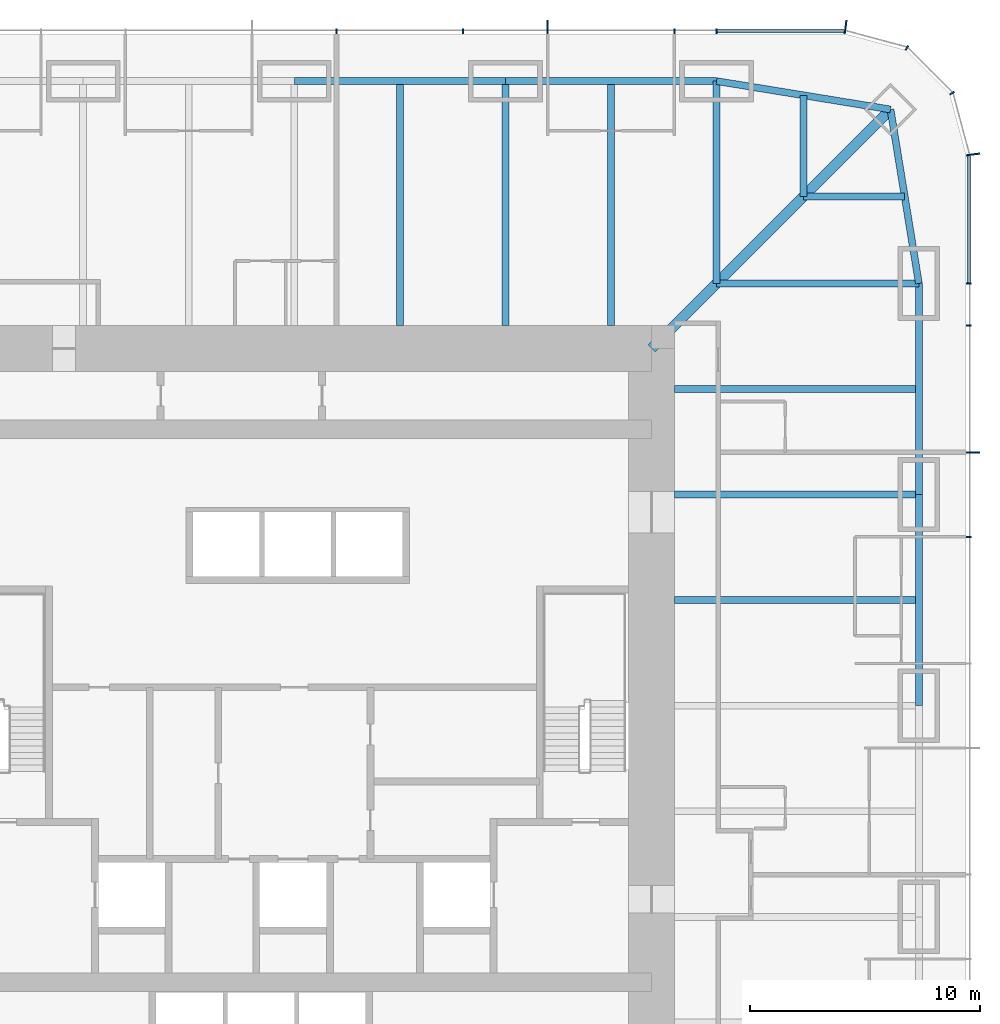
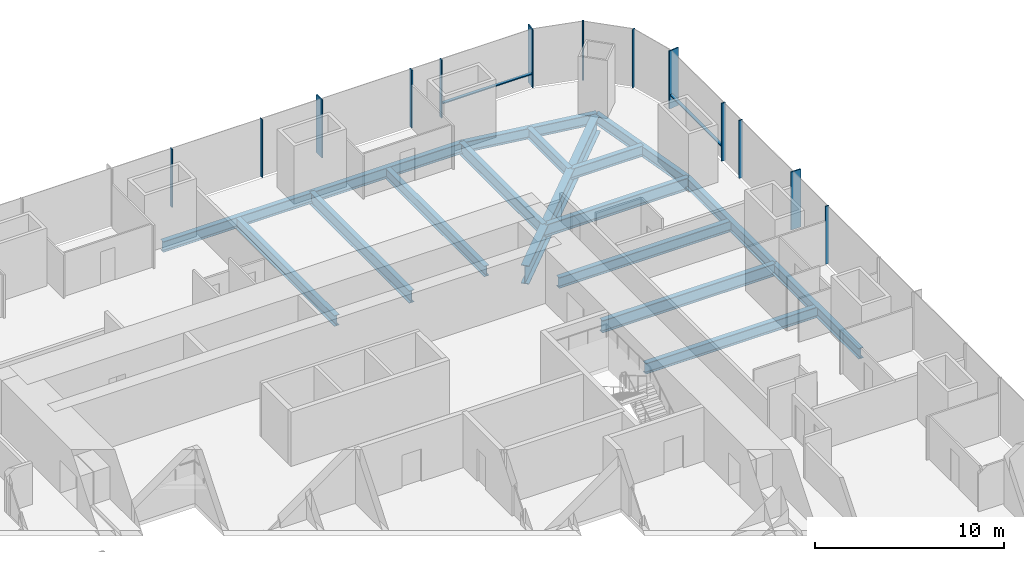
# One storey, part 6 of 13: 17 beams, 15 members, 3 elements without a shape of their own.
"""IFC4 building model written with IfcOpenShell, lengths in metres."""

from ifc_helpers import new_model, si_unit, direction, frame, origin, origin_2d, place, context, subcontext, project, spatial, rectangle, i_section, extrude, material, material_profile, profile_set, type_object, element, aggregate, save


model = new_model("IFC4")

# Units and contexts
model_context = context("Model", 3, precision=1e-05, world=origin(), true_north=direction((0.0, 1.0)))
body_context = subcontext(model_context, "Body", "Model", "MODEL_VIEW")
ifc_project = project(units=[si_unit("LENGTHUNIT", "METRE"), si_unit("AREAUNIT", "SQUARE_METRE"), si_unit("VOLUMEUNIT", "CUBIC_METRE"), si_unit("PLANEANGLEUNIT", "RADIAN"), si_unit("MASSUNIT", "GRAM", prefix="KILO")], contexts=[model_context])

# Site, building, storey
site_placement = place(None, origin())
site = spatial("IfcSite", under=ifc_project, at=site_placement, CompositionType="ELEMENT")
building_placement = place(site_placement, origin())
building = spatial("IfcBuilding", under=site, at=building_placement, Name="Khuree Lantern Residences", CompositionType="ELEMENT")
storey_placement = place(building_placement, frame((0.0, 0.0, 114.75)))
storey = spatial("IfcBuildingStorey", under=building, at=storey_placement, Name="L28", CompositionType="ELEMENT", Elevation=114.75)

# Beams
ifc_material_1 = material(Name="Steel S355", Category="steel")
ifc_material_profile_1 = material_profile(ifc_material_1, i_section(OverallWidth=0.300048828125, OverallDepth=0.68994140625, WebThickness=0.014404296875, FlangeThickness=0.027099609375, FilletRadius=0.027099609375, at=origin_2d()), Name="HE 700 A")
ifc_profile_set_1 = profile_set([ifc_material_profile_1], Name="Steel S355")
beam_type_1 = type_object("IfcBeamType", Name="B-21A SECONDARY BEAM HE 700 A", PredefinedType="BEAM", material=ifc_profile_set_1)
for number, where, z_axis, x_axis, name in (
    (1, (4.580078125, 27.10009765625, -0.594970703125), (0.0, -1.0, 0.0), (1.0, 0.0, 0.0), "Secondary beam N3"),
    (2, (13.739990234375, 27.10009765625, -0.594970703125), (0.0, -1.0, 0.0), (1.0, 0.0, 0.0), "Secondary beam N4"),
):
    element("IfcBeam", number, at=place(storey_placement, frame(where, z_axis=z_axis, x_axis=x_axis)), inside=storey, type_object=beam_type_1, Name=name, PredefinedType="BEAM", context=body_context, shape_type="SweptSolid", body=[
        extrude(i_section(OverallWidth=0.300048828125, OverallDepth=0.68994140625, WebThickness=0.014404296875, FlangeThickness=0.027099609375, FilletRadius=0.027099609375, at=origin_2d()), origin(), (0.0, 0.0, 1.0), 10.60009765625),
    ])
for number, where, z_axis, x_axis, name in (
    (3, (22.094970703125, 26.48486328125, -0.594970703125), (0.0, -1.0, 0.0), (1.0, 0.0, 0.0), "Secondary beam N5"),
    (4, (26.48486328125, 22.094970703125, -0.594970703125), (-1.0, 0.0, 0.0), (0.0, -1.0, 0.0), "Secondary beam E1"),
):
    element("IfcBeam", number, at=place(storey_placement, frame(where, z_axis=z_axis, x_axis=x_axis)), inside=storey, type_object=beam_type_1, Name=name, PredefinedType="BEAM", context=body_context, shape_type="SweptSolid", body=[
        extrude(i_section(OverallWidth=0.300048828125, OverallDepth=0.68994140625, WebThickness=0.014404296875, FlangeThickness=0.027099609375, FilletRadius=0.027099609375, at=origin_2d()), origin(), (0.0, 0.0, 1.0), 4.389892578125),
    ])
for number, where, z_axis, x_axis, name in (
    (5, (27.10009765625, 13.739990234375, -0.594970703125), (-1.0, 0.0, 0.0), (0.0, -1.0, 0.0), "Secondary beam E2"),
    (6, (27.10009765625, 4.580078125, -0.594970703125), (-1.0, 0.0, 0.0), (0.0, -1.0, 0.0), "Secondary beam E3"),
):
    element("IfcBeam", number, at=place(storey_placement, frame(where, z_axis=z_axis, x_axis=x_axis)), inside=storey, type_object=beam_type_1, Name=name, PredefinedType="BEAM", context=body_context, shape_type="SweptSolid", body=[
        extrude(i_section(OverallWidth=0.300048828125, OverallDepth=0.68994140625, WebThickness=0.014404296875, FlangeThickness=0.027099609375, FilletRadius=0.027099609375, at=origin_2d()), origin(), (0.0, 0.0, 1.0), 10.60009765625),
    ])
ifc_material_profile_2 = material_profile(ifc_material_1, i_section(OverallWidth=0.300048828125, OverallDepth=0.68994140625, WebThickness=0.014404296875, FlangeThickness=0.027099609375, FilletRadius=0.027099609375, at=origin_2d()), Name="HE 700 A")
ifc_profile_set_2 = profile_set([ifc_material_profile_2], Name="Steel S355")
beam_type_2 = type_object("IfcBeamType", Name="E-21 SPANDREL BEAM HE 700 A", PredefinedType="SPANDREL", material=ifc_profile_set_2)
beam_1_placement = place(storey_placement, frame((0.0, 27.10009765625, -0.594970703125), z_axis=(1.0, 0.0, 0.0), x_axis=(0.0, 1.0, 0.0)))
element("IfcBeam", 7, at=beam_1_placement, inside=storey, type_object=beam_type_2, Name="Spandrel beam N3", PredefinedType="SPANDREL", context=body_context, shape_type="SweptSolid", body=[
    extrude(i_section(OverallWidth=0.300048828125, OverallDepth=0.68994140625, WebThickness=0.014404296875, FlangeThickness=0.027099609375, FilletRadius=0.027099609375, at=origin_2d()), origin(), (0.0, 0.0, 1.0), 9.159912109375),
])
beam_2_placement = place(storey_placement, frame((9.159912109375, 27.10009765625, -0.594970703125), z_axis=(1.0, 0.0, 0.0), x_axis=(0.0, 1.0, 0.0)))
element("IfcBeam", 8, at=beam_2_placement, inside=storey, type_object=beam_type_2, Name="Spandrel beam N4", PredefinedType="SPANDREL", context=body_context, shape_type="SweptSolid", body=[
    extrude(i_section(OverallWidth=0.300048828125, OverallDepth=0.68994140625, WebThickness=0.014404296875, FlangeThickness=0.027099609375, FilletRadius=0.027099609375, at=origin_2d()), origin(), (0.0, 0.0, 1.0), 9.16015625),
])
for number, where, z_axis, x_axis, name in (
    (9, (18.320068359375, 27.10009765625, -0.594970703125), (0.986982656839, -0.160826723833, 0.0), (0.160826723833, 0.986982656839, 0.0), "Spandrel beam N5"),
    (10, (25.869873046875, 25.869873046875, -0.594970703125), (0.160826723833, -0.986982656839, 0.0), (0.986982656839, 0.160826723833, 0.0), "Spandrel beam E1"),
):
    element("IfcBeam", number, at=place(storey_placement, frame(where, z_axis=z_axis, x_axis=x_axis)), inside=storey, type_object=beam_type_2, Name=name, PredefinedType="SPANDREL", context=body_context, shape_type="SweptSolid", body=[
        extrude(i_section(OverallWidth=0.300048828125, OverallDepth=0.68994140625, WebThickness=0.014404296875, FlangeThickness=0.027099609375, FilletRadius=0.027099609375, at=origin_2d()), origin(), (0.0, 0.0, 1.0), 7.6494140625),
    ])
beam_3_placement = place(storey_placement, frame((27.10009765625, 18.320068359375, -0.594970703125), z_axis=(0.0, -1.0, 0.0), x_axis=(1.0, 0.0, 0.0)))
element("IfcBeam", 11, at=beam_3_placement, inside=storey, type_object=beam_type_2, Name="Spandrel beam E2", PredefinedType="SPANDREL", context=body_context, shape_type="SweptSolid", body=[
    extrude(i_section(OverallWidth=0.300048828125, OverallDepth=0.68994140625, WebThickness=0.014404296875, FlangeThickness=0.027099609375, FilletRadius=0.027099609375, at=origin_2d()), origin(), (0.0, 0.0, 1.0), 9.16015625),
])
beam_4_placement = place(storey_placement, frame((27.10009765625, 9.159912109375, -0.594970703125), z_axis=(0.0, -1.0, 0.0), x_axis=(1.0, 0.0, 0.0)))
element("IfcBeam", 12, at=beam_4_placement, inside=storey, type_object=beam_type_2, Name="Spandrel beam E3", PredefinedType="SPANDREL", context=body_context, shape_type="SweptSolid", body=[
    extrude(i_section(OverallWidth=0.300048828125, OverallDepth=0.68994140625, WebThickness=0.014404296875, FlangeThickness=0.027099609375, FilletRadius=0.027099609375, at=origin_2d()), origin(), (0.0, 0.0, 1.0), 9.159912109375),
])

# Curtain wall, member
ifc_material_2 = material(Name="Bronze anodised aluminium", Category="aluminium")
curtain_wall_type_1 = type_object("IfcCurtainWallType", Name="CW-T1 TOWER FACE CURTAIN WALL", PredefinedType="USERDEFINED", material=ifc_material_2)
curtain_wall_1_placement = place(storey_placement, origin())
curtain_wall_1 = element("IfcCurtainWall", 13, at=curtain_wall_1_placement, inside=storey, type_object=curtain_wall_type_1, Name="L28 EAST FACE CURTAIN WALL", ObjectType="Stick-built curtain wall", PredefinedType="USERDEFINED")
ifc_material_profile_3 = material_profile(ifc_material_2, rectangle(XDim=0.06494140625, YDim=0.60009765625, at=origin_2d()), Name="F1 65X600")
ifc_profile_set_3 = profile_set([ifc_material_profile_3], Name="Bronze anodised aluminium")
member_type_1 = type_object("IfcMemberType", Name="F1 BRONZE FIN MULLION TOWER 65X600", PredefinedType="MULLION", material=ifc_profile_set_3)
member_1_placement = place(storey_placement, frame((29.449951171875, 10.991943359375, 0.0), z_axis=(0.0, 0.0, 1.0), x_axis=(0.0, 1.0, 0.0)))
member_1 = element("IfcMember", 14, at=member_1_placement, type_object=member_type_1, Name="L28 EAST FACE FIN MULLION 12", PredefinedType="MULLION", context=body_context, shape_type="SweptSolid", body=[
    extrude(rectangle(XDim=0.06494140625, YDim=0.60009765625, at=origin_2d()), origin(), (0.0, 0.0, 1.0), 3.75),
])

curtain_wall_type_2 = type_object("IfcCurtainWallType", Name="CW-T2 TOWER CORNER CURTAIN WALL", PredefinedType="USERDEFINED", material=ifc_material_2)
curtain_wall_2_placement = place(storey_placement, origin())
curtain_wall_2 = element("IfcCurtainWall", 15, at=curtain_wall_2_placement, inside=storey, type_object=curtain_wall_type_2, Name="L28 NORTH-EAST CORNER CURTAIN WALL", ObjectType="Faceted corner curtain wall", PredefinedType="USERDEFINED")
member_2_placement = place(storey_placement, frame((29.4501953125, 23.919677734375, 0.0), z_axis=(0.0, 0.0, 1.0), x_axis=(-0.130526223125, 0.991444857305, 0.0)))
member_2 = element("IfcMember", 16, at=member_2_placement, type_object=member_type_1, Name="L28 NORTH-EAST CORNER FIN MULLION 15", PredefinedType="MULLION", context=body_context, shape_type="SweptSolid", body=[
    extrude(rectangle(XDim=0.06494140625, YDim=0.60009765625, at=origin_2d()), origin(), (0.0, 0.0, 1.0), 3.75),
])

# Curtain wall, members
curtain_wall_3_placement = place(storey_placement, origin())
curtain_wall_3 = element("IfcCurtainWall", 17, at=curtain_wall_3_placement, inside=storey, type_object=curtain_wall_type_1, Name="L28 NORTH FACE CURTAIN WALL", ObjectType="Stick-built curtain wall", PredefinedType="USERDEFINED")
member_3_placement = place(storey_placement, frame((23.919677734375, 29.4501953125, 0.0), z_axis=(0.0, 0.0, 1.0), x_axis=(-0.991444857305, 0.130526223125, 0.0)))
member_3 = element("IfcMember", 18, at=member_3_placement, type_object=member_type_1, Name="L28 NORTH FACE FIN MULLION 18", PredefinedType="MULLION", context=body_context, shape_type="SweptSolid", body=[
    extrude(rectangle(XDim=0.06494140625, YDim=0.60009765625, at=origin_2d()), origin(), (0.0, 0.0, 1.0), 3.75),
])
member_4_placement = place(storey_placement, frame((10.991943359375, 29.449951171875, 0.0), z_axis=(0.0, 0.0, 1.0), x_axis=(-1.0, 0.0, 0.0)))
member_4 = element("IfcMember", 19, at=member_4_placement, type_object=member_type_1, Name="L28 NORTH FACE FIN MULLION 21", PredefinedType="MULLION", context=body_context, shape_type="SweptSolid", body=[
    extrude(rectangle(XDim=0.06494140625, YDim=0.60009765625, at=origin_2d()), origin(), (0.0, 0.0, 1.0), 3.75),
])

# Beams
ifc_material_profile_4 = material_profile(ifc_material_1, i_section(OverallWidth=0.300048828125, OverallDepth=0.800048828125, WebThickness=0.017578125, FlangeThickness=0.032958984375, FilletRadius=0.030029296875, at=origin_2d()), Name="HE 800 B")
ifc_profile_set_4 = profile_set([ifc_material_profile_4], Name="Steel S355")
beam_type_3 = type_object("IfcBeamType", Name="G-21 GIRDER HE 800 B", PredefinedType="BEAM", material=ifc_profile_set_4)
beam_5_placement = place(storey_placement, frame((9.159912109375, 27.10009765625, -0.64990234375), z_axis=(0.0, -1.0, 0.0), x_axis=(1.0, 0.0, 0.0)))
element("IfcBeam", 20, at=beam_5_placement, inside=storey, type_object=beam_type_3, Name="Girder N4", PredefinedType="BEAM", context=body_context, shape_type="SweptSolid", body=[
    extrude(i_section(OverallWidth=0.300048828125, OverallDepth=0.800048828125, WebThickness=0.017578125, FlangeThickness=0.032958984375, FilletRadius=0.030029296875, at=origin_2d()), origin(), (0.0, 0.0, 1.0), 10.60009765625),
])
for number, where, z_axis, x_axis, name in (
    (21, (18.320068359375, 27.10009765625, -0.64990234375), (0.0, -1.0, 0.0), (1.0, 0.0, 0.0), "Girder N5"),
    (22, (27.10009765625, 18.320068359375, -0.64990234375), (-1.0, 0.0, 0.0), (0.0, -1.0, 0.0), "Girder E1"),
):
    element("IfcBeam", number, at=place(storey_placement, frame(where, z_axis=z_axis, x_axis=x_axis)), inside=storey, type_object=beam_type_3, Name=name, PredefinedType="BEAM", context=body_context, shape_type="SweptSolid", body=[
        extrude(i_section(OverallWidth=0.300048828125, OverallDepth=0.800048828125, WebThickness=0.017578125, FlangeThickness=0.032958984375, FilletRadius=0.030029296875, at=origin_2d()), origin(), (0.0, 0.0, 1.0), 8.780029296875),
    ])
beam_6_placement = place(storey_placement, frame((27.10009765625, 9.159912109375, -0.64990234375), z_axis=(-1.0, 0.0, 0.0), x_axis=(0.0, -1.0, 0.0)))
element("IfcBeam", 23, at=beam_6_placement, inside=storey, type_object=beam_type_3, Name="Girder E2", PredefinedType="BEAM", context=body_context, shape_type="SweptSolid", body=[
    extrude(i_section(OverallWidth=0.300048828125, OverallDepth=0.800048828125, WebThickness=0.017578125, FlangeThickness=0.032958984375, FilletRadius=0.030029296875, at=origin_2d()), origin(), (0.0, 0.0, 1.0), 10.60009765625),
])
ifc_material_profile_5 = material_profile(ifc_material_1, i_section(OverallWidth=0.449951171875, OverallDepth=1.199951171875, WebThickness=0.02490234375, FlangeThickness=0.044921875, at=origin_2d()), Name="WELDED I 1200X450X25X45")
ifc_profile_set_5 = profile_set([ifc_material_profile_5], Name="Steel S355")
beam_type_4 = type_object("IfcBeamType", Name="GD-21 CORNER GIRDER WELDED I 1200X450X25X45", PredefinedType="BEAM", material=ifc_profile_set_5)
beam_7_placement = place(storey_placement, frame((25.869873046875, 25.869873046875, -0.85009765625), z_axis=(-0.707106781187, -0.707106781187, 0.0), x_axis=(0.707106781187, -0.707106781187, 0.0)))
element("IfcBeam", 24, at=beam_7_placement, inside=storey, type_object=beam_type_4, Name="Corner girder NE", PredefinedType="BEAM", context=body_context, shape_type="SweptSolid", body=[
    extrude(i_section(OverallWidth=0.449951171875, OverallDepth=1.199951171875, WebThickness=0.02490234375, FlangeThickness=0.044921875, at=origin_2d()), origin(), (0.0, 0.0, 1.0), 14.665283203125),
])

# Member
ifc_material_profile_6 = material_profile(ifc_material_2, rectangle(XDim=0.06494140625, YDim=0.219970703125, at=origin_2d()), Name="M1 65X220")
ifc_profile_set_6 = profile_set([ifc_material_profile_6], Name="Bronze anodised aluminium")
member_type_2 = type_object("IfcMemberType", Name="M1 BRONZE MULLION TOWER 65X220", PredefinedType="MULLION", material=ifc_profile_set_6)
member_5_placement = place(storey_placement, frame((29.260009765625, 7.327880859375, 0.0), z_axis=(0.0, 0.0, 1.0), x_axis=(0.0, 1.0, 0.0)))
member_5 = element("IfcMember", 25, at=member_5_placement, type_object=member_type_2, Name="L28 EAST FACE MULLION 11", PredefinedType="MULLION", context=body_context, shape_type="SweptSolid", body=[
    extrude(rectangle(XDim=0.06494140625, YDim=0.219970703125, at=origin_2d()), origin(), (0.0, 0.0, 1.0), 3.75),
])

member_6_placement = place(storey_placement, frame((29.260009765625, 16.488037109375, 0.0), z_axis=(0.0, 0.0, 1.0), x_axis=(0.0, 1.0, 0.0)))
member_6 = element("IfcMember", 26, at=member_6_placement, type_object=member_type_2, Name="L28 EAST FACE MULLION 13", PredefinedType="MULLION", context=body_context, shape_type="SweptSolid", body=[
    extrude(rectangle(XDim=0.06494140625, YDim=0.219970703125, at=origin_2d()), origin(), (0.0, 0.0, 1.0), 3.75),
])

member_7_placement = place(storey_placement, frame((29.260009765625, 18.320068359375, 0.0), z_axis=(0.0, 0.0, 1.0), x_axis=(0.0, 1.0, 0.0)))
member_7 = element("IfcMember", 27, at=member_7_placement, type_object=member_type_2, Name="L28 EAST FACE MULLION 14", PredefinedType="MULLION", context=body_context, shape_type="SweptSolid", body=[
    extrude(rectangle(XDim=0.06494140625, YDim=0.219970703125, at=origin_2d()), origin(), (0.0, 0.0, 1.0), 3.75),
])

member_8_placement = place(storey_placement, frame((28.5419921875, 26.580078125, 0.0), z_axis=(0.0, 0.0, 1.0), x_axis=(-0.500000026995, 0.866025388199, 0.0)))
member_8 = element("IfcMember", 28, at=member_8_placement, type_object=member_type_2, Name="L28 NORTH-EAST CORNER MULLION 16", PredefinedType="MULLION", context=body_context, shape_type="SweptSolid", body=[
    extrude(rectangle(XDim=0.06494140625, YDim=0.219970703125, at=origin_2d()), origin(), (0.0, 0.0, 1.0), 3.75),
])

member_9_placement = place(storey_placement, frame((26.580078125, 28.5419921875, 0.0), z_axis=(0.0, 0.0, 1.0), x_axis=(-0.866025388199, 0.500000026995, 0.0)))
member_9 = element("IfcMember", 29, at=member_9_placement, type_object=member_type_2, Name="L28 NORTH-EAST CORNER MULLION 17", PredefinedType="MULLION", context=body_context, shape_type="SweptSolid", body=[
    extrude(rectangle(XDim=0.06494140625, YDim=0.219970703125, at=origin_2d()), origin(), (0.0, 0.0, 1.0), 3.75),
])

aggregate(curtain_wall_2, [member_2, member_8, member_9])

member_10_placement = place(storey_placement, frame((18.320068359375, 29.260009765625, 0.0), z_axis=(0.0, 0.0, 1.0), x_axis=(-1.0, 0.0, 0.0)))
member_10 = element("IfcMember", 30, at=member_10_placement, type_object=member_type_2, Name="L28 NORTH FACE MULLION 19", PredefinedType="MULLION", context=body_context, shape_type="SweptSolid", body=[
    extrude(rectangle(XDim=0.06494140625, YDim=0.219970703125, at=origin_2d()), origin(), (0.0, 0.0, 1.0), 3.75),
])

member_11_placement = place(storey_placement, frame((16.488037109375, 29.260009765625, 0.0), z_axis=(0.0, 0.0, 1.0), x_axis=(-1.0, 0.0, 0.0)))
member_11 = element("IfcMember", 31, at=member_11_placement, type_object=member_type_2, Name="L28 NORTH FACE MULLION 20", PredefinedType="MULLION", context=body_context, shape_type="SweptSolid", body=[
    extrude(rectangle(XDim=0.06494140625, YDim=0.219970703125, at=origin_2d()), origin(), (0.0, 0.0, 1.0), 3.75),
])

member_12_placement = place(storey_placement, frame((7.327880859375, 29.260009765625, 0.0), z_axis=(0.0, 0.0, 1.0), x_axis=(-1.0, 0.0, 0.0)))
member_12 = element("IfcMember", 32, at=member_12_placement, type_object=member_type_2, Name="L28 NORTH FACE MULLION 22", PredefinedType="MULLION", context=body_context, shape_type="SweptSolid", body=[
    extrude(rectangle(XDim=0.06494140625, YDim=0.219970703125, at=origin_2d()), origin(), (0.0, 0.0, 1.0), 3.75),
])

member_13_placement = place(storey_placement, frame((1.83203125, 29.260009765625, 0.0), z_axis=(0.0, 0.0, 1.0), x_axis=(-1.0, 0.0, 0.0)))
member_13 = element("IfcMember", 33, at=member_13_placement, type_object=member_type_2, Name="L28 NORTH FACE MULLION 23", PredefinedType="MULLION", context=body_context, shape_type="SweptSolid", body=[
    extrude(rectangle(XDim=0.06494140625, YDim=0.219970703125, at=origin_2d()), origin(), (0.0, 0.0, 1.0), 3.75),
])

ifc_material_profile_7 = material_profile(ifc_material_2, rectangle(XDim=0.179931640625, YDim=0.06494140625, at=origin_2d()), Name="T1 180X65")
ifc_profile_set_7 = profile_set([ifc_material_profile_7], Name="Bronze anodised aluminium")
member_type_3 = type_object("IfcMemberType", Name="TRANSOM T1 TOWER 180X65", PredefinedType="USERDEFINED", material=ifc_profile_set_7)
member_14_placement = place(storey_placement, frame((29.27001953125, 18.3525390625, 0.89990234375), z_axis=(0.0, 1.0, 0.0), x_axis=(-1.0, 0.0, 0.0)))
member_14 = element("IfcMember", 34, at=member_14_placement, type_object=member_type_3, Name="L28 EAST FACE TRANSOM 14.1", ObjectType="Transom", PredefinedType="USERDEFINED", context=body_context, shape_type="SweptSolid", body=[
    extrude(rectangle(XDim=0.179931640625, YDim=0.06494140625, at=origin_2d()), origin(), (0.0, 0.0, 1.0), 5.498779296875),
])

aggregate(curtain_wall_1, [member_5, member_1, member_6, member_7, member_14])

member_15_placement = place(storey_placement, frame((23.851318359375, 29.27001953125, 0.89990234375), z_axis=(-1.0, 0.0, 0.0), x_axis=(0.0, -1.0, 0.0)))
member_15 = element("IfcMember", 35, at=member_15_placement, type_object=member_type_3, Name="L28 NORTH FACE TRANSOM 18.1", ObjectType="Transom", PredefinedType="USERDEFINED", context=body_context, shape_type="SweptSolid", body=[
    extrude(rectangle(XDim=0.179931640625, YDim=0.06494140625, at=origin_2d()), origin(), (0.0, 0.0, 1.0), 5.498779296875),
])

aggregate(curtain_wall_3, [member_3, member_10, member_11, member_4, member_12, member_13, member_15])

save(model, "model.ifc")
